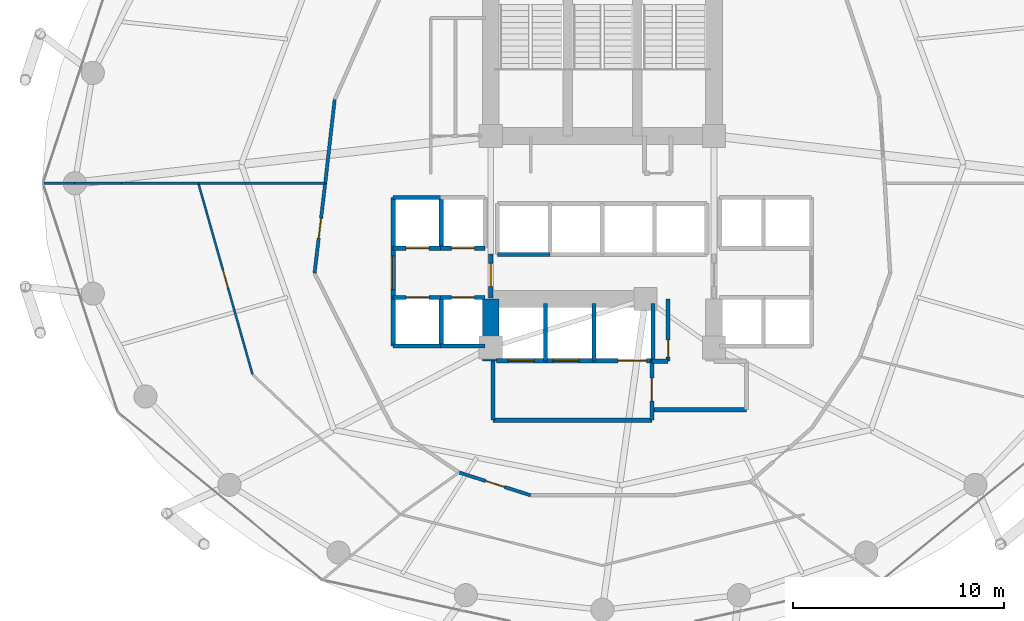
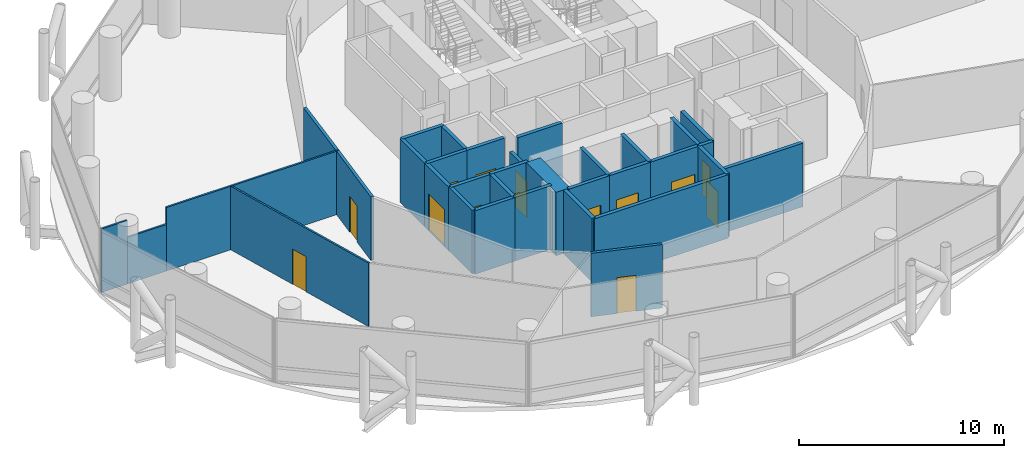
# One storey, part 21 of 24: 35 walls, 14 doors, 14 openings.
"""IFC4 building model written with IfcOpenShell, lengths in metres."""

from ifc_helpers import new_model, si_unit, direction, frame, frame_2d, origin, place, context, subcontext, project, spatial, rectangle, extrude, material, layer, layer_set, type_object, element, fill, save


model = new_model("IFC4")

# Units and contexts
model_context = context("Model", 3, precision=1e-05, world=origin(), true_north=direction((0.0, 1.0)))
body_context = subcontext(model_context, "Body", "Model", "MODEL_VIEW")
ifc_project = project(units=[si_unit("LENGTHUNIT", "METRE"), si_unit("AREAUNIT", "SQUARE_METRE"), si_unit("VOLUMEUNIT", "CUBIC_METRE"), si_unit("PLANEANGLEUNIT", "RADIAN"), si_unit("MASSUNIT", "GRAM", prefix="KILO")], contexts=[model_context])

# Site, building, storey
site_placement = place(None, origin())
site = spatial("IfcSite", under=ifc_project, at=site_placement, CompositionType="ELEMENT")
building_placement = place(site_placement, origin())
building = spatial("IfcBuilding", under=site, at=building_placement, Name="Nuhasar Tower", CompositionType="ELEMENT")
storey_placement = place(building_placement, frame((0.0, 0.0, 41.25)))
storey = spatial("IfcBuildingStorey", under=building, at=storey_placement, Name="L09", CompositionType="ELEMENT", Elevation=41.25)

# Walls
ifc_material_1 = material(Name="Concrete C80/95", Category="concrete")
ifc_layer_1 = layer(ifc_material_1, 0.800048828125)
ifc_layer_set_1 = layer_set([ifc_layer_1], Name="Concrete C80/95")
wall_type_1 = type_object("IfcWallType", Name="WL-CORE-800", PredefinedType="SHEAR", material=ifc_layer_set_1)
wall_1_placement = place(storey_placement, frame((33.699951171875, 18.35009765625, 0.0), z_axis=(0.0, 0.0, 1.0), x_axis=(0.0, 1.0, 0.0)))
element("IfcWall", 1, at=wall_1_placement, inside=storey, type_object=wall_type_1, Name="L09 Core Shear Wall CW-SW CW-800", PredefinedType="SHEAR", context=body_context, shape_type="SweptSolid", body=[
    extrude(rectangle(XDim=2.949951171875, YDim=0.800048828125, at=frame_2d((1.47509765625, 0.0))), origin(), (0.0, 0.0, 1.0), 3.7900390625),
])
ifc_material_2 = material(Name="Gypsum Board", Category="gypsum")
ifc_layer_2 = layer(ifc_material_2, 0.159912109375)
ifc_layer_set_2 = layer_set([ifc_layer_2], Name="Gypsum Board")
wall_type_2 = type_object("IfcWallType", Name="WL-CORR-160", PredefinedType="PARTITIONING", material=ifc_layer_set_2)
wall_2_placement = place(storey_placement, frame((26.2880859375, 30.77001953125, 0.0), z_axis=(0.0, 0.0, 1.0), x_axis=(-0.112134962735, -0.993692985852, 0.0)))
element("IfcWall", 2, at=wall_2_placement, inside=storey, type_object=wall_type_2, Name="L09 Interior Partition CORR-22", PredefinedType="PARTITIONING", context=body_context, shape_type="SweptSolid", body=[
    extrude(rectangle(XDim=3.9951171875, YDim=0.159912109375, at=frame_2d((1.99755859375, 0.0))), origin(), (0.0, 0.0, 1.0), 3.7900390625),
])

# Wall, opening, door
wall_3_placement = place(storey_placement, frame((25.3330078125, 22.531982421875, 0.0), z_axis=(0.0, 0.0, 1.0), x_axis=(0.117978184462, 0.993016187175, 0.0)))
wall_3 = element("IfcWall", 3, at=wall_3_placement, inside=storey, type_object=wall_type_2, Name="L09 Interior Partition CORR-24", PredefinedType="PARTITIONING", context=body_context, shape_type="SweptSolid", body=[
    extrude(rectangle(XDim=4.298095703125, YDim=0.159912109375, at=frame_2d((2.14892578125, 0.0))), origin(), (0.0, 0.0, 1.0), 3.7900390625),
])
opening_1_placement = place(wall_3_placement, frame((1.674072265625, 0.0, 0.0)))
opening_1 = element("IfcOpeningElement", 4, at=opening_1_placement, cuts=wall_3, Name="Opening DO-01", PredefinedType="OPENING", context=body_context, shape_type="SweptSolid", body=[
    extrude(rectangle(XDim=0.949951171875, YDim=2.14990234375, at=frame_2d((0.47509765625, 1.074951171875))), frame((0.0, 0.08984375, 0.0), z_axis=(0.0, -1.0, 0.0), x_axis=(1.0, 0.0, 0.0)), (0.0, 0.0, 1.0), 0.179931640625),
])
ifc_material_3 = material(Name="Timber Oak", Category="wood")
door_type_1 = type_object("IfcDoorType", Name="DR-OFFICE-FD30-950", OperationType="NOTDEFINED", PredefinedType="DOOR", material=ifc_material_3)
door_1_placement = place(opening_1_placement, origin())
door_1 = element("IfcDoor", 5, at=door_1_placement, inside=storey, type_object=door_type_1, Name="L09 South-West Executive Partners Office Entry Door", OperationType="SINGLE_SWING_LEFT", OverallHeight=2.14990234375, OverallWidth=0.949951171875, PredefinedType="DOOR", context=body_context, shape_type="SweptSolid", body=[
    extrude(rectangle(XDim=0.949951171875, YDim=2.14990234375, at=frame_2d((0.47509765625, 1.074951171875))), frame((0.0, 0.02490234375, 0.0), z_axis=(0.0, -1.0, 0.0), x_axis=(1.0, 0.0, 0.0)), (0.0, 0.0, 1.0), 0.050048828125),
])
fill(opening_1, door_1)

wall_4_placement = place(storey_placement, frame((35.593994140625, 11.98291015625, 0.0), z_axis=(0.0, 0.0, 1.0), x_axis=(-0.952646548559, 0.304079847275, 0.0)))
wall_4 = element("IfcWall", 6, at=wall_4_placement, inside=storey, type_object=wall_type_2, Name="L09 Interior Partition CORR-32", PredefinedType="PARTITIONING", context=body_context, shape_type="SweptSolid", body=[
    extrude(rectangle(XDim=3.564697265625, YDim=0.159912109375, at=frame_2d((1.7822265625, 0.0))), origin(), (0.0, 0.0, 1.0), 3.7900390625),
])
opening_2_placement = place(wall_4_placement, frame((1.306884765625, 0.0, 0.0)))
opening_2 = element("IfcOpeningElement", 7, at=opening_2_placement, cuts=wall_4, Name="Opening DO-01", PredefinedType="OPENING", context=body_context, shape_type="SweptSolid", body=[
    extrude(rectangle(XDim=0.949951171875, YDim=2.14990234375, at=frame_2d((0.47509765625, 1.074951171875))), frame((0.0, 0.08984375, 0.0), z_axis=(0.0, -1.0, 0.0), x_axis=(1.0, 0.0, 0.0)), (0.0, 0.0, 1.0), 0.179931640625),
])
door_2_placement = place(opening_2_placement, origin())
door_2 = element("IfcDoor", 8, at=door_2_placement, inside=storey, type_object=door_type_1, Name="L09 South-Central Advisory Office Entry Door", OperationType="SINGLE_SWING_RIGHT", OverallHeight=2.14990234375, OverallWidth=0.949951171875, PredefinedType="DOOR", context=body_context, shape_type="SweptSolid", body=[
    extrude(rectangle(XDim=0.949951171875, YDim=2.14990234375, at=frame_2d((0.47509765625, 1.074951171875))), frame((0.0, 0.02490234375, 0.0), z_axis=(0.0, -1.0, 0.0), x_axis=(1.0, 0.0, 0.0)), (0.0, 0.0, 1.0), 0.050048828125),
])
fill(opening_2, door_2)

ifc_material_4 = material(Name="Concrete C45/55", Category="concrete")
ifc_layer_3 = layer(ifc_material_4, 0.199951171875)
ifc_layer_set_3 = layer_set([ifc_layer_3], Name="Concrete C45/55")
wall_type_3 = type_object("IfcWallType", Name="WL-LOBBY-200", PredefinedType="SOLIDWALL", material=ifc_layer_set_3)
wall_5_placement = place(storey_placement, frame((29.070068359375, 21.3798828125, 0.0), z_axis=(0.0, 0.0, 1.0), x_axis=(0.0, 1.0, 0.0)))
wall_5 = element("IfcWall", 9, at=wall_5_placement, inside=storey, type_object=wall_type_3, Name="L09 Interior Partition LLBL-W", PredefinedType="SOLIDWALL", context=body_context, shape_type="SweptSolid", body=[
    extrude(rectangle(XDim=2.340087890625, YDim=0.199951171875, at=frame_2d((1.169921875, 0.0))), origin(), (0.0, 0.0, 1.0), 3.7900390625),
])
opening_3_placement = place(wall_5_placement, frame((0.3701171875, 0.0, 0.0)))
opening_3 = element("IfcOpeningElement", 10, at=opening_3_placement, cuts=wall_5, Name="Opening DC-01", PredefinedType="OPENING", context=body_context, shape_type="SweptSolid", body=[
    extrude(rectangle(XDim=1.60009765625, YDim=2.199951171875, at=frame_2d((0.800048828125, 1.10009765625))), frame((0.0, 0.10986328125, 0.0), z_axis=(0.0, -1.0, 0.0), x_axis=(1.0, 0.0, 0.0)), (0.0, 0.0, 1.0), 0.219970703125),
])
ifc_material_5 = material(Name="Steel S355", Category="steel")
door_type_2 = type_object("IfcDoorType", Name="DR-CORR-FD60-1600", OperationType="DOUBLE_DOOR_SINGLE_SWING", PredefinedType="DOOR", material=ifc_material_5)
door_3_placement = place(opening_3_placement, origin())
door_3 = element("IfcDoor", 11, at=door_3_placement, inside=storey, type_object=door_type_2, Name="L09 Low-Rise Lift Lobby West Entry", OperationType="DOUBLE_DOOR_SINGLE_SWING", OverallHeight=2.199951171875, OverallWidth=1.60009765625, PredefinedType="DOOR", context=body_context, shape_type="SweptSolid", body=[
    extrude(rectangle(XDim=1.60009765625, YDim=2.199951171875, at=frame_2d((0.800048828125, 1.10009765625))), frame((0.0, 0.02490234375, 0.0), z_axis=(0.0, -1.0, 0.0), x_axis=(1.0, 0.0, 0.0)), (0.0, 0.0, 1.0), 0.050048828125),
])
fill(opening_3, door_3)

wall_6_placement = place(storey_placement, frame((33.699951171875, 21.35009765625, 0.0), z_axis=(0.0, 0.0, 1.0), x_axis=(0.0, 1.0, 0.0)))
wall_6 = element("IfcWall", 12, at=wall_6_placement, inside=storey, type_object=wall_type_3, Name="L09 Interior Partition LLBH-W", PredefinedType="SOLIDWALL", context=body_context, shape_type="SweptSolid", body=[
    extrude(rectangle(XDim=2.099853515625, YDim=0.199951171875, at=frame_2d((1.0498046875, 0.0))), origin(), (0.0, 0.0, 1.0), 3.010009765625),
])
opening_4_placement = place(wall_6_placement, frame((0.550048828125, 0.0, 0.0)))
opening_4 = element("IfcOpeningElement", 13, at=opening_4_placement, cuts=wall_6, Name="Opening DS-02", PredefinedType="OPENING", context=body_context, shape_type="SweptSolid", body=[
    extrude(rectangle(XDim=1.10009765625, YDim=2.14990234375, at=frame_2d((0.550048828125, 1.074951171875))), frame((0.0, 0.10986328125, 0.0), z_axis=(0.0, -1.0, 0.0), x_axis=(1.0, 0.0, 0.0)), (0.0, 0.0, 1.0), 0.219970703125),
])
door_type_3 = type_object("IfcDoorType", Name="DR-FFL-FD120-1100", OperationType="NOTDEFINED", PredefinedType="DOOR", material=ifc_material_5)
door_4_placement = place(opening_4_placement, origin())
door_4 = element("IfcDoor", 14, at=door_4_placement, inside=storey, type_object=door_type_3, Name="L09 High-Rise Lobby West Door", OperationType="SINGLE_SWING_RIGHT", OverallHeight=2.14990234375, OverallWidth=1.10009765625, PredefinedType="DOOR", context=body_context, shape_type="SweptSolid", body=[
    extrude(rectangle(XDim=1.10009765625, YDim=2.14990234375, at=frame_2d((0.550048828125, 1.074951171875))), frame((0.0, 0.02490234375, 0.0), z_axis=(0.0, -1.0, 0.0), x_axis=(1.0, 0.0, 0.0)), (0.0, 0.0, 1.0), 0.050048828125),
])
fill(opening_4, door_4)

# Walls
wall_7_placement = place(storey_placement, frame((33.800048828125, 15.550048828125, 0.0), z_axis=(0.0, 0.0, 1.0), x_axis=(1.0, 0.0, 0.0)))
element("IfcWall", 15, at=wall_7_placement, inside=storey, type_object=wall_type_3, Name="L09 Interior Partition FFL-S", PredefinedType="SOLIDWALL", context=body_context, shape_type="SweptSolid", body=[
    extrude(rectangle(XDim=7.550048828125, YDim=0.199951171875, at=frame_2d((3.77490234375, 0.0))), origin(), (0.0, 0.0, 1.0), 3.7900390625),
])
wall_8_placement = place(storey_placement, frame((33.800048828125, 15.550048828125, 0.0), z_axis=(0.0, 0.0, 1.0), x_axis=(0.0, 1.0, 0.0)))
element("IfcWall", 16, at=wall_8_placement, inside=storey, type_object=wall_type_3, Name="L09 Interior Partition FFL-W", PredefinedType="SOLIDWALL", context=body_context, shape_type="SweptSolid", body=[
    extrude(rectangle(XDim=2.800048828125, YDim=0.199951171875, at=frame_2d((1.39990234375, 0.0))), origin(), (0.0, 0.0, 1.0), 3.7900390625),
])

# Wall, opening, door
wall_9_placement = place(storey_placement, frame((41.35009765625, 15.550048828125, 0.0), z_axis=(0.0, 0.0, 1.0), x_axis=(0.0, 1.0, 0.0)))
wall_9 = element("IfcWall", 17, at=wall_9_placement, inside=storey, type_object=wall_type_3, Name="L09 Interior Partition FFL-E", PredefinedType="SOLIDWALL", context=body_context, shape_type="SweptSolid", body=[
    extrude(rectangle(XDim=2.800048828125, YDim=0.199951171875, at=frame_2d((1.39990234375, 0.0))), origin(), (0.0, 0.0, 1.0), 3.7900390625),
])
opening_5_placement = place(wall_9_placement, frame((0.89990234375, 0.0, 0.0)))
opening_5 = element("IfcOpeningElement", 18, at=opening_5_placement, cuts=wall_9, Name="Opening DS-02", PredefinedType="OPENING", context=body_context, shape_type="SweptSolid", body=[
    extrude(rectangle(XDim=1.10009765625, YDim=2.14990234375, at=frame_2d((0.550048828125, 1.074951171875))), frame((0.0, 0.10986328125, 0.0), z_axis=(0.0, -1.0, 0.0), x_axis=(1.0, 0.0, 0.0)), (0.0, 0.0, 1.0), 0.219970703125),
])
door_5_placement = place(opening_5_placement, origin())
door_5 = element("IfcDoor", 19, at=door_5_placement, inside=storey, type_object=door_type_3, Name="L09 Firefighting Lobby Door", OperationType="SINGLE_SWING_RIGHT", OverallHeight=2.14990234375, OverallWidth=1.10009765625, PredefinedType="DOOR", context=body_context, shape_type="SweptSolid", body=[
    extrude(rectangle(XDim=1.10009765625, YDim=2.14990234375, at=frame_2d((0.550048828125, 1.074951171875))), frame((0.0, 0.02490234375, 0.0), z_axis=(0.0, -1.0, 0.0), x_axis=(1.0, 0.0, 0.0)), (0.0, 0.0, 1.0), 0.050048828125),
])
fill(opening_5, door_5)

# Walls
wall_10_placement = place(storey_placement, frame((41.35009765625, 16.050048828125, 0.0), z_axis=(0.0, 0.0, 1.0), x_axis=(1.0, 0.0, 0.0)))
element("IfcWall", 20, at=wall_10_placement, inside=storey, type_object=wall_type_3, Name="L09 Interior Partition SVLV-S", PredefinedType="SOLIDWALL", context=body_context, shape_type="SweptSolid", body=[
    extrude(rectangle(XDim=4.5, YDim=0.199951171875, at=frame_2d((2.25, 0.0))), origin(), (0.0, 0.0, 1.0), 3.7900390625),
])
ifc_material_6 = material(Name="Aluminium 6063-T6", Category="aluminium")
ifc_layer_4 = layer(ifc_material_6, 0.10009765625)
ifc_layer_set_4 = layer_set([ifc_layer_4], Name="Aluminium 6063-T6")
wall_type_4 = type_object("IfcWallType", Name="WL-MOVABLE-100", PredefinedType="MOVABLE", material=ifc_layer_set_4)
wall_11_placement = place(storey_placement, frame((25.840087890625, 26.800048828125, 0.0), z_axis=(0.0, 0.0, 1.0), x_axis=(-1.0, 0.0, 0.0)))
element("IfcWall", 21, at=wall_11_placement, inside=storey, type_object=wall_type_4, Name="L09 Interior Partition ORAD-24-S1", PredefinedType="MOVABLE", context=body_context, shape_type="SweptSolid", body=[
    extrude(rectangle(XDim=6.023193359375, YDim=0.10009765625, at=frame_2d((3.01171875, 0.0))), origin(), (0.0, 0.0, 1.0), 3.7900390625),
])
wall_12_placement = place(storey_placement, frame((19.81689453125, 26.800048828125, 0.0), z_axis=(0.0, 0.0, 1.0), x_axis=(-1.0, 0.0, 0.0)))
element("IfcWall", 22, at=wall_12_placement, inside=storey, type_object=wall_type_4, Name="L09 Interior Partition ORAD-24-S2", PredefinedType="MOVABLE", context=body_context, shape_type="SweptSolid", body=[
    extrude(rectangle(XDim=3.656982421875, YDim=0.10009765625, at=frame_2d((1.82861328125, 0.0))), origin(), (0.0, 0.0, 1.0), 3.7900390625),
])
wall_13_placement = place(storey_placement, frame((16.159912109375, 26.800048828125, 0.0), z_axis=(0.0, 0.0, 1.0), x_axis=(-1.0, 0.0, 0.0)))
element("IfcWall", 23, at=wall_13_placement, inside=storey, type_object=wall_type_4, Name="L09 Interior Partition ORAD-24-S2", PredefinedType="MOVABLE", context=body_context, shape_type="SweptSolid", body=[
    extrude(rectangle(XDim=2.2158203125, YDim=0.10009765625, at=frame_2d((1.10791015625, 0.0))), origin(), (0.0, 0.0, 1.0), 2.780029296875),
])
wall_14_placement = place(storey_placement, frame((13.944091796875, 26.800048828125, 0.0), z_axis=(0.0, 0.0, 1.0), x_axis=(-1.0, 0.0, 0.0)))
element("IfcWall", 24, at=wall_14_placement, inside=storey, type_object=wall_type_4, Name="L09 Interior Partition ORAD-24-S2", PredefinedType="MOVABLE", context=body_context, shape_type="SweptSolid", body=[
    extrude(rectangle(XDim=1.468994140625, YDim=0.10009765625, at=frame_2d((0.734375, 0.0))), origin(), (0.0, 0.0, 1.0), 3.7900390625),
])

# Wall, opening, door
wall_15_placement = place(storey_placement, frame((22.386962890625, 17.72412109375, 0.0), z_axis=(0.0, 0.0, 1.0), x_axis=(-0.272460813616, 0.962166880039, 0.0)))
wall_15 = element("IfcWall", 25, at=wall_15_placement, inside=storey, type_object=wall_type_4, Name="L09 Interior Partition OMID-03-24", PredefinedType="MOVABLE", context=body_context, shape_type="SweptSolid", body=[
    extrude(rectangle(XDim=9.432861328125, YDim=0.10009765625, at=frame_2d((4.71630859375, 0.0))), origin(), (0.0, 0.0, 1.0), 3.7900390625),
])
opening_6_placement = place(wall_15_placement, frame((4.26611328125, 0.0, 0.0)))
opening_6 = element("IfcOpeningElement", 26, at=opening_6_placement, cuts=wall_15, Name="Opening DR-01", PredefinedType="OPENING", context=body_context, shape_type="SweptSolid", body=[
    extrude(rectangle(XDim=0.89990234375, YDim=2.10009765625, at=frame_2d((0.449951171875, 1.050048828125))), frame((0.0, 0.06005859375, 0.0), z_axis=(0.0, -1.0, 0.0), x_axis=(1.0, 0.0, 0.0)), (0.0, 0.0, 1.0), 0.1201171875),
])
door_type_4 = type_object("IfcDoorType", Name="DR-ROOM-900", OperationType="NOTDEFINED", PredefinedType="DOOR", material=ifc_material_3)
door_6_placement = place(opening_6_placement, origin())
door_6 = element("IfcDoor", 27, at=door_6_placement, inside=storey, type_object=door_type_4, Name="L09 South-West Executive Partners Office Inner Door", OperationType="SINGLE_SWING_LEFT", OverallHeight=2.10009765625, OverallWidth=0.89990234375, PredefinedType="DOOR", context=body_context, shape_type="SweptSolid", body=[
    extrude(rectangle(XDim=0.89990234375, YDim=2.10009765625, at=frame_2d((0.449951171875, 1.050048828125))), frame((0.0, 0.02490234375, 0.0), z_axis=(0.0, -1.0, 0.0), x_axis=(1.0, 0.0, 0.0)), (0.0, 0.0, 1.0), 0.050048828125),
])
fill(opening_6, door_6)

ifc_layer_5 = layer(ifc_material_4, 0.199951171875)
ifc_layer_set_5 = layer_set([ifc_layer_5], Name="Concrete C45/55")
wall_type_5 = type_object("IfcWallType", Name="WL-SHAFT-200", PredefinedType="SOLIDWALL", material=ifc_layer_set_5)
wall_16_placement = place(storey_placement, frame((29.070068359375, 23.719970703125, 0.0), z_axis=(0.0, 0.0, 1.0), x_axis=(1.0, 0.0, 0.0)))
wall_16 = element("IfcWall", 28, at=wall_16_placement, inside=storey, type_object=wall_type_5, Name="L09 Interior Partition SHF-PL-L01-S", PredefinedType="SOLIDWALL", context=body_context, shape_type="SweptSolid", body=[
    extrude(rectangle(XDim=2.309814453125, YDim=0.199951171875, at=frame_2d((1.15478515625, 0.0))), origin(), (0.0, 0.0, 1.0), 3.7900390625),
])
opening_7_placement = place(wall_16_placement, frame((0.60498046875, 0.0, 0.0)))
opening_7 = element("IfcOpeningElement", 29, at=opening_7_placement, cuts=wall_16, Name="Opening LD-L01", PredefinedType="OPENING", context=body_context, shape_type="SweptSolid", body=[
    extrude(rectangle(XDim=1.10009765625, YDim=2.14990234375, at=frame_2d((0.550048828125, 1.074951171875))), frame((0.0, 0.10986328125, 0.0), z_axis=(0.0, -1.0, 0.0), x_axis=(1.0, 0.0, 0.0)), (0.0, 0.0, 1.0), 0.219970703125),
])
ifc_material_7 = material(Name="Stainless Steel 316L", Category="steel")
door_type_5 = type_object("IfcDoorType", Name="LD-PAX-1100", OperationType="DOUBLE_DOOR_SLIDING", PredefinedType="DOOR", material=ifc_material_7)
door_7_placement = place(opening_7_placement, origin())
door_7 = element("IfcDoor", 30, at=door_7_placement, inside=storey, type_object=door_type_5, Name="L09 Lift Landing Door PL-L01", OperationType="DOUBLE_DOOR_SLIDING", OverallHeight=2.14990234375, OverallWidth=1.10009765625, PredefinedType="DOOR", context=body_context, shape_type="SweptSolid", body=[
    extrude(rectangle(XDim=1.10009765625, YDim=2.14990234375, at=frame_2d((0.550048828125, 1.074951171875))), frame((0.0, 0.02490234375, 0.0), z_axis=(0.0, -1.0, 0.0), x_axis=(1.0, 0.0, 0.0)), (0.0, 0.0, 1.0), 0.050048828125),
])
fill(opening_7, door_7)

# Walls
wall_17_placement = place(storey_placement, frame((29.070068359375, 26.1298828125, 0.0), z_axis=(0.0, 0.0, 1.0), x_axis=(1.0, 0.0, 0.0)))
element("IfcWall", 31, at=wall_17_placement, inside=storey, type_object=wall_type_5, Name="L09 Interior Partition SHF-PL-L01-N", PredefinedType="SOLIDWALL", context=body_context, shape_type="SweptSolid", body=[
    extrude(rectangle(XDim=2.309814453125, YDim=0.199951171875, at=frame_2d((1.15478515625, 0.0))), origin(), (0.0, 0.0, 1.0), 3.7900390625),
])
for number, where, z_axis, x_axis, name in (
    (32, (29.070068359375, 23.719970703125, 0.0), (0.0, 0.0, 1.0), (0.0, 1.0, 0.0), "L09 Interior Partition SHF-PL-L01-W"),
    (33, (31.35009765625, 23.719970703125, 0.0), (0.0, 0.0, 1.0), (0.0, 1.0, 0.0), "L09 Interior Partition SHF-PL-L01-E"),
):
    element("IfcWall", number, at=place(storey_placement, frame(where, z_axis=z_axis, x_axis=x_axis)), inside=storey, type_object=wall_type_5, Name=name, PredefinedType="SOLIDWALL", context=body_context, shape_type="SweptSolid", body=[
        extrude(rectangle(XDim=2.409912109375, YDim=0.199951171875, at=frame_2d((1.205078125, 0.0))), origin(), (0.0, 0.0, 1.0), 3.7900390625),
    ])

# Wall, opening, door
wall_18_placement = place(storey_placement, frame((31.320068359375, 23.719970703125, 0.0), z_axis=(0.0, 0.0, 1.0), x_axis=(1.0, 0.0, 0.0)))
wall_18 = element("IfcWall", 34, at=wall_18_placement, inside=storey, type_object=wall_type_5, Name="L09 Interior Partition SHF-PL-L02-S", PredefinedType="SOLIDWALL", context=body_context, shape_type="SweptSolid", body=[
    extrude(rectangle(XDim=2.10986328125, YDim=0.199951171875, at=frame_2d((1.054931640625, 0.0))), origin(), (0.0, 0.0, 1.0), 3.7900390625),
])
opening_8_placement = place(wall_18_placement, frame((0.5048828125, 0.0, 0.0)))
opening_8 = element("IfcOpeningElement", 35, at=opening_8_placement, cuts=wall_18, Name="Opening LD-L02", PredefinedType="OPENING", context=body_context, shape_type="SweptSolid", body=[
    extrude(rectangle(XDim=1.10009765625, YDim=2.14990234375, at=frame_2d((0.550048828125, 1.074951171875))), frame((0.0, 0.10986328125, 0.0), z_axis=(0.0, -1.0, 0.0), x_axis=(1.0, 0.0, 0.0)), (0.0, 0.0, 1.0), 0.219970703125),
])
door_8_placement = place(opening_8_placement, origin())
door_8 = element("IfcDoor", 36, at=door_8_placement, inside=storey, type_object=door_type_5, Name="L09 Lift Landing Door PL-L02", OperationType="DOUBLE_DOOR_SLIDING", OverallHeight=2.14990234375, OverallWidth=1.10009765625, PredefinedType="DOOR", context=body_context, shape_type="SweptSolid", body=[
    extrude(rectangle(XDim=1.10009765625, YDim=2.14990234375, at=frame_2d((0.550048828125, 1.074951171875))), frame((0.0, 0.02490234375, 0.0), z_axis=(0.0, -1.0, 0.0), x_axis=(1.0, 0.0, 0.0)), (0.0, 0.0, 1.0), 0.050048828125),
])
fill(opening_8, door_8)

# Wall
wall_19_placement = place(storey_placement, frame((29.070068359375, 19.070068359375, 0.0), z_axis=(0.0, 0.0, 1.0), x_axis=(1.0, 0.0, 0.0)))
element("IfcWall", 37, at=wall_19_placement, inside=storey, type_object=wall_type_5, Name="L09 Interior Partition SHF-PL-L03-S", PredefinedType="SOLIDWALL", context=body_context, shape_type="SweptSolid", body=[
    extrude(rectangle(XDim=2.309814453125, YDim=0.199951171875, at=frame_2d((1.15478515625, 0.0))), origin(), (0.0, 0.0, 1.0), 3.7900390625),
])

# Wall, opening, door
wall_20_placement = place(storey_placement, frame((29.070068359375, 21.3798828125, 0.0), z_axis=(0.0, 0.0, 1.0), x_axis=(1.0, 0.0, 0.0)))
wall_20 = element("IfcWall", 38, at=wall_20_placement, inside=storey, type_object=wall_type_5, Name="L09 Interior Partition SHF-PL-L03-N", PredefinedType="SOLIDWALL", context=body_context, shape_type="SweptSolid", body=[
    extrude(rectangle(XDim=2.309814453125, YDim=0.199951171875, at=frame_2d((1.15478515625, 0.0))), origin(), (0.0, 0.0, 1.0), 3.7900390625),
])
opening_9_placement = place(wall_20_placement, frame((0.60498046875, 0.0, 0.0)))
opening_9 = element("IfcOpeningElement", 39, at=opening_9_placement, cuts=wall_20, Name="Opening LD-L03", PredefinedType="OPENING", context=body_context, shape_type="SweptSolid", body=[
    extrude(rectangle(XDim=1.10009765625, YDim=2.14990234375, at=frame_2d((0.550048828125, 1.074951171875))), frame((0.0, 0.10986328125, 0.0), z_axis=(0.0, -1.0, 0.0), x_axis=(1.0, 0.0, 0.0)), (0.0, 0.0, 1.0), 0.219970703125),
])
door_9_placement = place(opening_9_placement, origin())
door_9 = element("IfcDoor", 40, at=door_9_placement, inside=storey, type_object=door_type_5, Name="L09 Lift Landing Door PL-L03", OperationType="DOUBLE_DOOR_SLIDING", OverallHeight=2.14990234375, OverallWidth=1.10009765625, PredefinedType="DOOR", context=body_context, shape_type="SweptSolid", body=[
    extrude(rectangle(XDim=1.10009765625, YDim=2.14990234375, at=frame_2d((0.550048828125, 1.074951171875))), frame((0.0, 0.02490234375, 0.0), z_axis=(0.0, -1.0, 0.0), x_axis=(1.0, 0.0, 0.0)), (0.0, 0.0, 1.0), 0.050048828125),
])
fill(opening_9, door_9)

# Walls
for number, where, z_axis, x_axis, name in (
    (41, (29.070068359375, 19.070068359375, 0.0), (0.0, 0.0, 1.0), (0.0, 1.0, 0.0), "L09 Interior Partition SHF-PL-L03-W"),
    (42, (31.35009765625, 19.070068359375, 0.0), (0.0, 0.0, 1.0), (0.0, 1.0, 0.0), "L09 Interior Partition SHF-PL-L03-E"),
):
    element("IfcWall", number, at=place(storey_placement, frame(where, z_axis=z_axis, x_axis=x_axis)), inside=storey, type_object=wall_type_5, Name=name, PredefinedType="SOLIDWALL", context=body_context, shape_type="SweptSolid", body=[
        extrude(rectangle(XDim=2.309814453125, YDim=0.199951171875, at=frame_2d((1.15478515625, 0.0))), origin(), (0.0, 0.0, 1.0), 3.7900390625),
    ])
wall_21_placement = place(storey_placement, frame((31.320068359375, 19.070068359375, 0.0), z_axis=(0.0, 0.0, 1.0), x_axis=(1.0, 0.0, 0.0)))
element("IfcWall", 43, at=wall_21_placement, inside=storey, type_object=wall_type_5, Name="L09 Interior Partition SHF-PL-L04-S", PredefinedType="SOLIDWALL", context=body_context, shape_type="SweptSolid", body=[
    extrude(rectangle(XDim=2.10986328125, YDim=0.199951171875, at=frame_2d((1.054931640625, 0.0))), origin(), (0.0, 0.0, 1.0), 3.7900390625),
])

# Wall, opening, door
wall_22_placement = place(storey_placement, frame((31.320068359375, 21.3798828125, 0.0), z_axis=(0.0, 0.0, 1.0), x_axis=(1.0, 0.0, 0.0)))
wall_22 = element("IfcWall", 44, at=wall_22_placement, inside=storey, type_object=wall_type_5, Name="L09 Interior Partition SHF-PL-L04-N", PredefinedType="SOLIDWALL", context=body_context, shape_type="SweptSolid", body=[
    extrude(rectangle(XDim=2.10986328125, YDim=0.199951171875, at=frame_2d((1.054931640625, 0.0))), origin(), (0.0, 0.0, 1.0), 3.7900390625),
])
opening_10_placement = place(wall_22_placement, frame((0.5048828125, 0.0, 0.0)))
opening_10 = element("IfcOpeningElement", 45, at=opening_10_placement, cuts=wall_22, Name="Opening LD-L04", PredefinedType="OPENING", context=body_context, shape_type="SweptSolid", body=[
    extrude(rectangle(XDim=1.10009765625, YDim=2.14990234375, at=frame_2d((0.550048828125, 1.074951171875))), frame((0.0, 0.10986328125, 0.0), z_axis=(0.0, -1.0, 0.0), x_axis=(1.0, 0.0, 0.0)), (0.0, 0.0, 1.0), 0.219970703125),
])
door_10_placement = place(opening_10_placement, origin())
door_10 = element("IfcDoor", 46, at=door_10_placement, inside=storey, type_object=door_type_5, Name="L09 Lift Landing Door PL-L04", OperationType="DOUBLE_DOOR_SLIDING", OverallHeight=2.14990234375, OverallWidth=1.10009765625, PredefinedType="DOOR", context=body_context, shape_type="SweptSolid", body=[
    extrude(rectangle(XDim=1.10009765625, YDim=2.14990234375, at=frame_2d((0.550048828125, 1.074951171875))), frame((0.0, 0.02490234375, 0.0), z_axis=(0.0, -1.0, 0.0), x_axis=(1.0, 0.0, 0.0)), (0.0, 0.0, 1.0), 0.050048828125),
])
fill(opening_10, door_10)

# Wall
wall_23_placement = place(storey_placement, frame((34.02001953125, 23.419921875, 0.0), z_axis=(0.0, 0.0, 1.0), x_axis=(1.0, 0.0, 0.0)))
element("IfcWall", 47, at=wall_23_placement, inside=storey, type_object=wall_type_5, Name="L09 Interior Partition SHF-PL-H01-S", PredefinedType="SOLIDWALL", context=body_context, shape_type="SweptSolid", body=[
    extrude(rectangle(XDim=2.5, YDim=0.199951171875, at=frame_2d((1.25, 0.0))), origin(), (0.0, 0.0, 1.0), 3.7900390625),
])

# Wall, opening, door
wall_24_placement = place(storey_placement, frame((33.969970703125, 18.3701171875, 0.0), z_axis=(0.0, 0.0, 1.0), x_axis=(1.0, 0.0, 0.0)))
wall_24 = element("IfcWall", 48, at=wall_24_placement, inside=storey, type_object=wall_type_5, Name="L09 Interior Partition SHF-FFL-01-S", PredefinedType="SOLIDWALL", context=body_context, shape_type="SweptSolid", body=[
    extrude(rectangle(XDim=2.360107421875, YDim=0.199951171875, at=frame_2d((1.18017578125, 0.0))), origin(), (0.0, 0.0, 1.0), 3.7900390625),
])
opening_11_placement = place(wall_24_placement, frame((0.554931640625, 0.0, 0.0)))
opening_11 = element("IfcOpeningElement", 49, at=opening_11_placement, cuts=wall_24, Name="Opening LD-F01", PredefinedType="OPENING", context=body_context, shape_type="SweptSolid", body=[
    extrude(rectangle(XDim=1.25, YDim=2.199951171875, at=frame_2d((0.625, 1.10009765625))), frame((0.0, 0.10986328125, 0.0), z_axis=(0.0, -1.0, 0.0), x_axis=(1.0, 0.0, 0.0)), (0.0, 0.0, 1.0), 0.219970703125),
])
door_type_6 = type_object("IfcDoorType", Name="LD-FFL-1250", OperationType="DOUBLE_DOOR_SLIDING", PredefinedType="DOOR", material=ifc_material_7)
door_11_placement = place(opening_11_placement, origin())
door_11 = element("IfcDoor", 50, at=door_11_placement, inside=storey, type_object=door_type_6, Name="L09 Lift Landing Door FFL-01", OperationType="DOUBLE_DOOR_SLIDING", OverallHeight=2.199951171875, OverallWidth=1.25, PredefinedType="DOOR", context=body_context, shape_type="SweptSolid", body=[
    extrude(rectangle(XDim=1.25, YDim=2.199951171875, at=frame_2d((0.625, 1.10009765625))), frame((0.0, 0.02490234375, 0.0), z_axis=(0.0, -1.0, 0.0), x_axis=(1.0, 0.0, 0.0)), (0.0, 0.0, 1.0), 0.050048828125),
])
fill(opening_11, door_11)

# Wall
wall_25_placement = place(storey_placement, frame((36.300048828125, 18.3701171875, 0.0), z_axis=(0.0, 0.0, 1.0), x_axis=(0.0, 1.0, 0.0)))
element("IfcWall", 51, at=wall_25_placement, inside=storey, type_object=wall_type_5, Name="L09 Interior Partition SHF-FFL-01-E", PredefinedType="SOLIDWALL", context=body_context, shape_type="SweptSolid", body=[
    extrude(rectangle(XDim=2.7099609375, YDim=0.199951171875, at=frame_2d((1.35498046875, 0.0))), origin(), (0.0, 0.0, 1.0), 3.7900390625),
])

# Wall, opening, door
wall_26_placement = place(storey_placement, frame((36.27001953125, 18.3701171875, 0.0), z_axis=(0.0, 0.0, 1.0), x_axis=(1.0, 0.0, 0.0)))
wall_26 = element("IfcWall", 52, at=wall_26_placement, inside=storey, type_object=wall_type_5, Name="L09 Interior Partition SHF-FFL-02-S", PredefinedType="SOLIDWALL", context=body_context, shape_type="SweptSolid", body=[
    extrude(rectangle(XDim=2.35986328125, YDim=0.199951171875, at=frame_2d((1.179931640625, 0.0))), origin(), (0.0, 0.0, 1.0), 3.7900390625),
])
opening_12_placement = place(wall_26_placement, frame((0.3798828125, 0.0, 0.0)))
opening_12 = element("IfcOpeningElement", 53, at=opening_12_placement, cuts=wall_26, Name="Opening LD-F02", PredefinedType="OPENING", context=body_context, shape_type="SweptSolid", body=[
    extrude(rectangle(XDim=1.25, YDim=2.199951171875, at=frame_2d((0.625, 1.10009765625))), frame((0.0, 0.10986328125, 0.0), z_axis=(0.0, -1.0, 0.0), x_axis=(1.0, 0.0, 0.0)), (0.0, 0.0, 1.0), 0.219970703125),
])
door_12_placement = place(opening_12_placement, origin())
door_12 = element("IfcDoor", 54, at=door_12_placement, inside=storey, type_object=door_type_6, Name="L09 Lift Landing Door FFL-02", OperationType="DOUBLE_DOOR_SLIDING", OverallHeight=2.199951171875, OverallWidth=1.25, PredefinedType="DOOR", context=body_context, shape_type="SweptSolid", body=[
    extrude(rectangle(XDim=1.25, YDim=2.199951171875, at=frame_2d((0.625, 1.10009765625))), frame((0.0, 0.02490234375, 0.0), z_axis=(0.0, -1.0, 0.0), x_axis=(1.0, 0.0, 0.0)), (0.0, 0.0, 1.0), 0.050048828125),
])
fill(opening_12, door_12)

# Wall
wall_27_placement = place(storey_placement, frame((38.60009765625, 18.3701171875, 0.0), z_axis=(0.0, 0.0, 1.0), x_axis=(0.0, 1.0, 0.0)))
element("IfcWall", 55, at=wall_27_placement, inside=storey, type_object=wall_type_5, Name="L09 Interior Partition SHF-FFL-02-E", PredefinedType="SOLIDWALL", context=body_context, shape_type="SweptSolid", body=[
    extrude(rectangle(XDim=2.7099609375, YDim=0.199951171875, at=frame_2d((1.35498046875, 0.0))), origin(), (0.0, 0.0, 1.0), 3.7900390625),
])

# Wall, opening, door
wall_28_placement = place(storey_placement, frame((38.570068359375, 18.3701171875, 0.0), z_axis=(0.0, 0.0, 1.0), x_axis=(1.0, 0.0, 0.0)))
wall_28 = element("IfcWall", 56, at=wall_28_placement, inside=storey, type_object=wall_type_5, Name="L09 Interior Partition SHF-SVL-01-S", PredefinedType="SOLIDWALL", context=body_context, shape_type="SweptSolid", body=[
    extrude(rectangle(XDim=2.829833984375, YDim=0.199951171875, at=frame_2d((1.4150390625, 0.0))), origin(), (0.0, 0.0, 1.0), 3.7900390625),
])
opening_13_placement = place(wall_28_placement, frame((1.179931640625, 0.0, 0.0)))
opening_13 = element("IfcOpeningElement", 57, at=opening_13_placement, cuts=wall_28, Name="Opening LD-S01", PredefinedType="OPENING", context=body_context, shape_type="SweptSolid", body=[
    extrude(rectangle(XDim=1.35009765625, YDim=2.179931640625, at=frame_2d((0.675048828125, 1.08984375))), frame((0.0, 0.10986328125, 0.0), z_axis=(0.0, -1.0, 0.0), x_axis=(1.0, 0.0, 0.0)), (0.0, 0.0, 1.0), 0.219970703125),
])
door_type_7 = type_object("IfcDoorType", Name="LD-SVL-1350", OperationType="DOUBLE_DOOR_SLIDING", PredefinedType="DOOR", material=ifc_material_7)
door_13_placement = place(opening_13_placement, origin())
door_13 = element("IfcDoor", 58, at=door_13_placement, inside=storey, type_object=door_type_7, Name="L09 Lift Landing Door SVL-01", OperationType="DOUBLE_DOOR_SLIDING", OverallHeight=2.179931640625, OverallWidth=1.35009765625, PredefinedType="DOOR", context=body_context, shape_type="SweptSolid", body=[
    extrude(rectangle(XDim=1.35009765625, YDim=2.179931640625, at=frame_2d((0.675048828125, 1.08984375))), frame((0.0, 0.02490234375, 0.0), z_axis=(0.0, -1.0, 0.0), x_axis=(1.0, 0.0, 0.0)), (0.0, 0.0, 1.0), 0.050048828125),
])
fill(opening_13, door_13)

# Wall
wall_29_placement = place(storey_placement, frame((41.39990234375, 18.3701171875, 0.0), z_axis=(0.0, 0.0, 1.0), x_axis=(0.0, 1.0, 0.0)))
element("IfcWall", 59, at=wall_29_placement, inside=storey, type_object=wall_type_5, Name="L09 Interior Partition SHF-SVL-01-E", PredefinedType="SOLIDWALL", context=body_context, shape_type="SweptSolid", body=[
    extrude(rectangle(XDim=2.7099609375, YDim=0.199951171875, at=frame_2d((1.35498046875, 0.0))), origin(), (0.0, 0.0, 1.0), 3.7900390625),
])

# Wall, opening, door
wall_30_placement = place(storey_placement, frame((42.1201171875, 18.35009765625, 0.0), z_axis=(0.0, 0.0, 1.0), x_axis=(0.0, 1.0, 0.0)))
wall_30 = element("IfcWall", 60, at=wall_30_placement, inside=storey, type_object=wall_type_5, Name="L09 Interior Partition RSR-E", PredefinedType="SOLIDWALL", context=body_context, shape_type="SweptSolid", body=[
    extrude(rectangle(XDim=2.949951171875, YDim=0.199951171875, at=frame_2d((1.47509765625, 0.0))), origin(), (0.0, 0.0, 1.0), 3.7900390625),
])
opening_14_placement = place(wall_30_placement, frame((0.199951171875, 0.0, 0.0)))
opening_14 = element("IfcOpeningElement", 61, at=opening_14_placement, cuts=wall_30, Name="Opening DM-01", PredefinedType="OPENING", context=body_context, shape_type="SweptSolid", body=[
    extrude(rectangle(XDim=0.800048828125, YDim=2.050048828125, at=frame_2d((0.39990234375, 1.02490234375))), frame((0.0, 0.10986328125, 0.0), z_axis=(0.0, -1.0, 0.0), x_axis=(1.0, 0.0, 0.0)), (0.0, 0.0, 1.0), 0.219970703125),
])
door_type_8 = type_object("IfcDoorType", Name="DR-RISER-FD60-800", OperationType="NOTDEFINED", PredefinedType="DOOR", material=ifc_material_5)
door_14_placement = place(opening_14_placement, origin())
door_14 = element("IfcDoor", 62, at=door_14_placement, inside=storey, type_object=door_type_8, Name="L09 MEP Riser Access Door", OperationType="SINGLE_SWING_LEFT", OverallHeight=2.050048828125, OverallWidth=0.800048828125, PredefinedType="DOOR", context=body_context, shape_type="SweptSolid", body=[
    extrude(rectangle(XDim=0.800048828125, YDim=2.050048828125, at=frame_2d((0.39990234375, 1.02490234375))), frame((0.0, 0.02490234375, 0.0), z_axis=(0.0, -1.0, 0.0), x_axis=(1.0, 0.0, 0.0)), (0.0, 0.0, 1.0), 0.050048828125),
])
fill(opening_14, door_14)

# Wall
wall_31_placement = place(storey_placement, frame((41.35009765625, 18.35009765625, 0.0), z_axis=(0.0, 0.0, 1.0), x_axis=(1.0, 0.0, 0.0)))
element("IfcWall", 63, at=wall_31_placement, inside=storey, type_object=wall_type_5, Name="L09 Interior Partition RSR-S", PredefinedType="SOLIDWALL", context=body_context, shape_type="SweptSolid", body=[
    extrude(rectangle(XDim=0.77001953125, YDim=0.199951171875, at=frame_2d((0.385009765625, 0.0))), origin(), (0.0, 0.0, 1.0), 3.7900390625),
])

save(model, "model.ifc")
